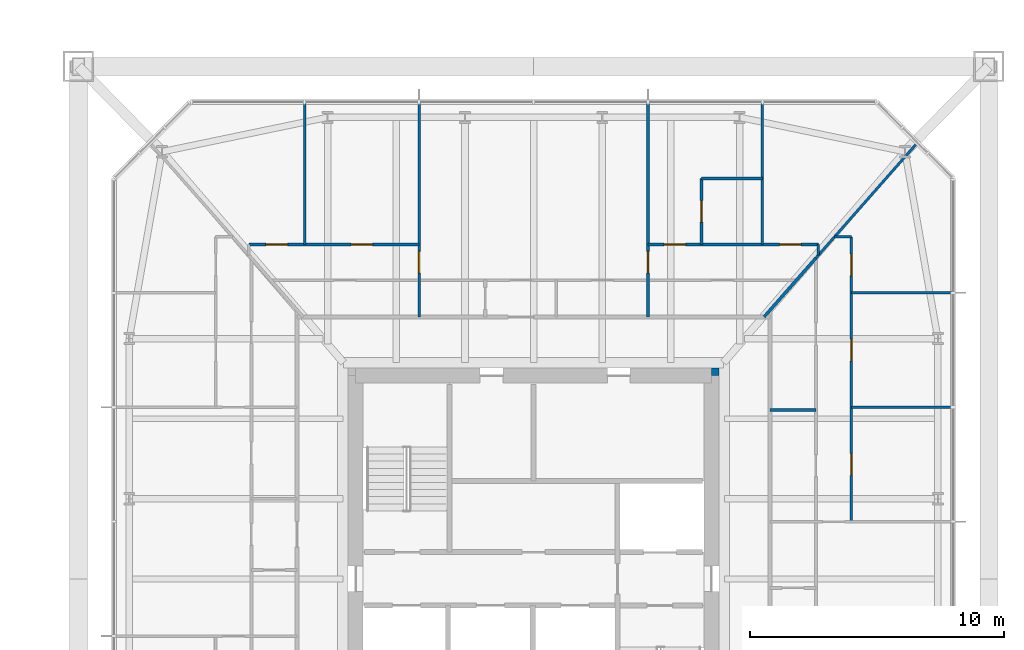
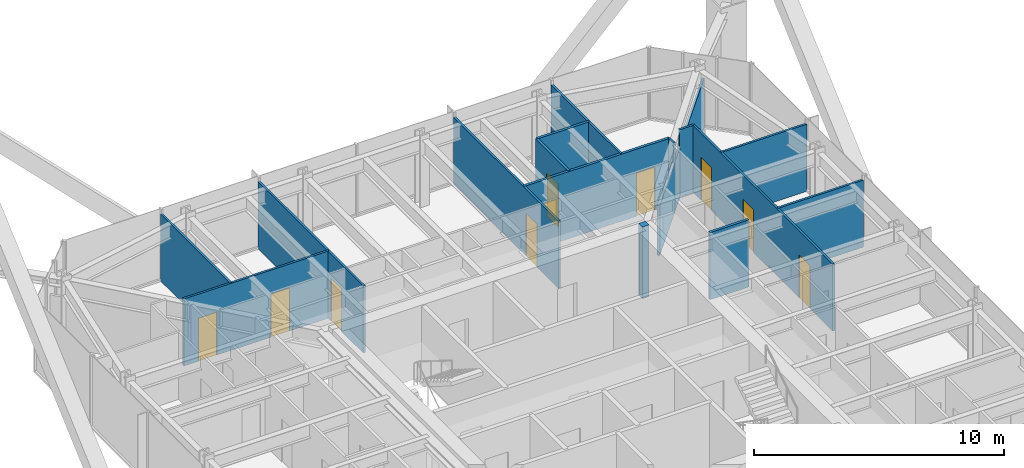
# One storey, part 22 of 27: 17 walls, 10 doors, 10 openings.
"""IFC4 building model written with IfcOpenShell, lengths in metres."""

from ifc_helpers import new_model, si_unit, direction, frame, frame_2d, origin, place, context, subcontext, project, spatial, rectangle, extrude, material, layer, layer_set, type_object, element, fill, save


model = new_model("IFC4")

# Units and contexts
model_context = context("Model", 3, precision=1e-05, world=origin(), true_north=direction((0.0, 1.0)))
body_context = subcontext(model_context, "Body", "Model", "MODEL_VIEW")
ifc_project = project(units=[si_unit("LENGTHUNIT", "METRE"), si_unit("AREAUNIT", "SQUARE_METRE"), si_unit("VOLUMEUNIT", "CUBIC_METRE"), si_unit("PLANEANGLEUNIT", "RADIAN"), si_unit("MASSUNIT", "GRAM", prefix="KILO")], contexts=[model_context])

# Site, building, storey
site_placement = place(None, origin())
site = spatial("IfcSite", under=ifc_project, at=site_placement, CompositionType="ELEMENT")
building_placement = place(site_placement, origin())
building = spatial("IfcBuilding", under=site, at=building_placement, Name="Iwan Alto Co-Living Towers", CompositionType="ELEMENT")
storey_placement = place(building_placement, frame((0.0, 0.0, 25.5)))
storey = spatial("IfcBuildingStorey", under=building, at=storey_placement, Name="L06", CompositionType="ELEMENT", Elevation=25.5)

# Walls
ifc_material_1 = material(Name="Gypsum board")
ifc_layer_1 = layer(ifc_material_1, 0.012451171875, Name="Board", Category="Finish")
ifc_material_2 = material(Name="Steel ASTM A1003 ST33H cold-formed studs", Category="steel")
ifc_layer_2 = layer(ifc_material_2, 0.074951171875, Name="Studs", Category="Framing")
ifc_layer_3 = layer(ifc_material_1, 0.012451171875, Name="Board", Category="Finish")
ifc_layer_set_1 = layer_set([ifc_layer_1, ifc_layer_2, ifc_layer_3], Name="PARTITION 100")
wall_type_1 = type_object("IfcWallType", Name="PARTITION 100", PredefinedType="PARTITIONING", material=ifc_layer_set_1)
for number, where, z_axis, x_axis, name in (
    (1, (75.5, 6.75, 0.0), (0.0, 0.0, 1.0), (1.0, 0.0, 0.0), "Partition L06"),
    (2, (75.5, 11.25, 0.0), (0.0, 0.0, 1.0), (1.0, 0.0, 0.0), "Partition L06"),
):
    element("IfcWall", number, at=place(storey_placement, frame(where, z_axis=z_axis, x_axis=x_axis)), inside=storey, type_object=wall_type_1, Name=name, PredefinedType="PARTITIONING", context=body_context, shape_type="SweptSolid", body=[
        extrude(rectangle(XDim=3.93994140625, YDim=0.10009765625, at=frame_2d((1.969970703125, 0.0))), origin(), (0.0, 0.0, 1.0), 3.27001953125),
    ])

# Wall, openings, doors
wall_1_placement = place(storey_placement, frame((51.800048828125, 13.14990234375, 0.0), z_axis=(0.0, 0.0, 1.0), x_axis=(1.0, 0.0, 0.0)))
wall_1 = element("IfcWall", 3, at=wall_1_placement, inside=storey, type_object=wall_type_1, Name="Partition L06", PredefinedType="PARTITIONING", context=body_context, shape_type="SweptSolid", body=[
    extrude(rectangle(XDim=6.699951171875, YDim=0.10009765625, at=frame_2d((3.35009765625, 0.0))), origin(), (0.0, 0.0, 1.0), 3.27001953125),
])
opening_1_placement = place(wall_1_placement, frame((4.02490234375, 0.0, 0.0)))
opening_1 = element("IfcOpeningElement", 4, at=opening_1_placement, cuts=wall_1, Name="Opening D2", PredefinedType="OPENING", context=body_context, shape_type="SweptSolid", body=[
    extrude(rectangle(XDim=0.85009765625, YDim=2.10009765625, at=frame_2d((0.425048828125, 1.050048828125))), frame((0.0, 0.06005859375, 0.0), z_axis=(0.0, -1.0, 0.0), x_axis=(1.0, 0.0, 0.0)), (0.0, 0.0, 1.0), 0.1201171875),
])
opening_2_placement = place(wall_1_placement, frame((0.675048828125, 0.0, 0.0)))
opening_2 = element("IfcOpeningElement", 5, at=opening_2_placement, cuts=wall_1, Name="Opening D2", PredefinedType="OPENING", context=body_context, shape_type="SweptSolid", body=[
    extrude(rectangle(XDim=0.85009765625, YDim=2.10009765625, at=frame_2d((0.425048828125, 1.050048828125))), frame((0.0, 0.06005859375, 0.0), z_axis=(0.0, -1.0, 0.0), x_axis=(1.0, 0.0, 0.0)), (0.0, 0.0, 1.0), 0.1201171875),
])
ifc_material_3 = material(Name="Timber leaf in steel frame", Category="steel")
door_type = type_object("IfcDoorType", Name="ROOM DOOR 850X2100", OperationType="SINGLE_SWING_LEFT", PredefinedType="DOOR", material=ifc_material_3)
door_1_placement = place(opening_1_placement, origin())
door_1 = element("IfcDoor", 6, at=door_1_placement, inside=storey, type_object=door_type, Name="Study door L06", OperationType="SINGLE_SWING_LEFT", OverallHeight=2.10009765625, OverallWidth=0.85009765625, PredefinedType="DOOR", context=body_context, shape_type="SweptSolid", body=[
    extrude(rectangle(XDim=0.85009765625, YDim=2.10009765625, at=frame_2d((0.425048828125, 1.050048828125))), frame((0.0, 0.02490234375, 0.0), z_axis=(0.0, -1.0, 0.0), x_axis=(1.0, 0.0, 0.0)), (0.0, 0.0, 1.0), 0.050048828125),
])
fill(opening_1, door_1)
door_2_placement = place(opening_2_placement, origin())
door_2 = element("IfcDoor", 7, at=door_2_placement, inside=storey, type_object=door_type, Name="Bedroom door L06", OperationType="SINGLE_SWING_RIGHT", OverallHeight=2.10009765625, OverallWidth=0.85009765625, PredefinedType="DOOR", context=body_context, shape_type="SweptSolid", body=[
    extrude(rectangle(XDim=0.85009765625, YDim=2.10009765625, at=frame_2d((0.425048828125, 1.050048828125))), frame((0.0, 0.02490234375, 0.0), z_axis=(0.0, -1.0, 0.0), x_axis=(1.0, 0.0, 0.0)), (0.0, 0.0, 1.0), 0.050048828125),
])
fill(opening_2, door_2)

# Walls
wall_2_placement = place(storey_placement, frame((74.8359375, 13.449951171875, 0.0), z_axis=(0.0, 0.0, 1.0), x_axis=(1.0, 0.0, 0.0)))
element("IfcWall", 8, at=wall_2_placement, inside=storey, type_object=wall_type_1, Name="Partition L06", PredefinedType="PARTITIONING", context=body_context, shape_type="SweptSolid", body=[
    extrude(rectangle(XDim=0.6640625, YDim=0.10009765625, at=frame_2d((0.33203125, 0.0))), origin(), (0.0, 0.0, 1.0), 3.27001953125),
])
wall_3_placement = place(storey_placement, frame((74.10009765625, 12.614013671875, 0.0), z_axis=(0.0, 0.0, 1.0), x_axis=(0.660755619739, 0.750601099775, 0.0)))
element("IfcWall", 9, at=wall_3_placement, inside=storey, type_object=wall_type_1, Name="Partition L06", PredefinedType="PARTITIONING", context=body_context, shape_type="SweptSolid", body=[
    extrude(rectangle(XDim=5.989013671875, YDim=0.10009765625, at=frame_2d((2.99462890625, 0.0))), origin(), (0.0, 0.0, 1.0), 2.42919921875),
])

# Wall, openings, doors
wall_4_placement = place(storey_placement, frame((75.5, 2.25, 0.0), z_axis=(0.0, 0.0, 1.0), x_axis=(0.0, 1.0, 0.0)))
wall_4 = element("IfcWall", 10, at=wall_4_placement, inside=storey, type_object=wall_type_1, Name="Partition L06", PredefinedType="PARTITIONING", context=body_context, shape_type="SweptSolid", body=[
    extrude(rectangle(XDim=11.199951171875, YDim=0.10009765625, at=frame_2d((5.60009765625, 0.0))), origin(), (0.0, 0.0, 1.0), 3.27001953125),
])
opening_3_placement = place(wall_4_placement, frame((1.824951171875, 0.0, 0.0)))
opening_3 = element("IfcOpeningElement", 11, at=opening_3_placement, cuts=wall_4, Name="Opening D2", PredefinedType="OPENING", context=body_context, shape_type="SweptSolid", body=[
    extrude(rectangle(XDim=0.85009765625, YDim=2.10009765625, at=frame_2d((0.425048828125, 1.050048828125))), frame((0.0, 0.06005859375, 0.0), z_axis=(0.0, -1.0, 0.0), x_axis=(1.0, 0.0, 0.0)), (0.0, 0.0, 1.0), 0.1201171875),
])
opening_4_placement = place(wall_4_placement, frame((6.324951171875, 0.0, 0.0)))
opening_4 = element("IfcOpeningElement", 12, at=opening_4_placement, cuts=wall_4, Name="Opening D2", PredefinedType="OPENING", context=body_context, shape_type="SweptSolid", body=[
    extrude(rectangle(XDim=0.85009765625, YDim=2.10009765625, at=frame_2d((0.425048828125, 1.050048828125))), frame((0.0, 0.06005859375, 0.0), z_axis=(0.0, -1.0, 0.0), x_axis=(1.0, 0.0, 0.0)), (0.0, 0.0, 1.0), 0.1201171875),
])
opening_5_placement = place(wall_4_placement, frame((9.675048828125, 0.0, 0.0)))
opening_5 = element("IfcOpeningElement", 13, at=opening_5_placement, cuts=wall_4, Name="Opening D2", PredefinedType="OPENING", context=body_context, shape_type="SweptSolid", body=[
    extrude(rectangle(XDim=0.85009765625, YDim=2.10009765625, at=frame_2d((0.425048828125, 1.050048828125))), frame((0.0, 0.06005859375, 0.0), z_axis=(0.0, -1.0, 0.0), x_axis=(1.0, 0.0, 0.0)), (0.0, 0.0, 1.0), 0.1201171875),
])
door_3_placement = place(opening_3_placement, frame((0.85009765625, 0.0, 0.0), z_axis=(0.0, 0.0, 1.0), x_axis=(-1.0, 0.0, 0.0)))
door_3 = element("IfcDoor", 14, at=door_3_placement, inside=storey, type_object=door_type, Name="Family room door L06", OperationType="SINGLE_SWING_RIGHT", OverallHeight=2.10009765625, OverallWidth=0.85009765625, PredefinedType="DOOR", context=body_context, shape_type="SweptSolid", body=[
    extrude(rectangle(XDim=0.85009765625, YDim=2.10009765625, at=frame_2d((0.425048828125, 1.050048828125))), frame((0.0, 0.02490234375, 0.0), z_axis=(0.0, -1.0, 0.0), x_axis=(1.0, 0.0, 0.0)), (0.0, 0.0, 1.0), 0.050048828125),
])
fill(opening_3, door_3)
door_4_placement = place(opening_4_placement, frame((0.85009765625, 0.0, 0.0), z_axis=(0.0, 0.0, 1.0), x_axis=(-1.0, 0.0, 0.0)))
door_4 = element("IfcDoor", 15, at=door_4_placement, inside=storey, type_object=door_type, Name="Bedroom door L06", OperationType="SINGLE_SWING_RIGHT", OverallHeight=2.10009765625, OverallWidth=0.85009765625, PredefinedType="DOOR", context=body_context, shape_type="SweptSolid", body=[
    extrude(rectangle(XDim=0.85009765625, YDim=2.10009765625, at=frame_2d((0.425048828125, 1.050048828125))), frame((0.0, 0.02490234375, 0.0), z_axis=(0.0, -1.0, 0.0), x_axis=(1.0, 0.0, 0.0)), (0.0, 0.0, 1.0), 0.050048828125),
])
fill(opening_4, door_4)
door_5_placement = place(opening_5_placement, frame((0.85009765625, 0.0, 0.0), z_axis=(0.0, 0.0, 1.0), x_axis=(-1.0, 0.0, 0.0)))
door_5 = element("IfcDoor", 16, at=door_5_placement, inside=storey, type_object=door_type, Name="Study door L06", OperationType="SINGLE_SWING_RIGHT", OverallHeight=2.10009765625, OverallWidth=0.85009765625, PredefinedType="DOOR", context=body_context, shape_type="SweptSolid", body=[
    extrude(rectangle(XDim=0.85009765625, YDim=2.10009765625, at=frame_2d((0.425048828125, 1.050048828125))), frame((0.0, 0.02490234375, 0.0), z_axis=(0.0, -1.0, 0.0), x_axis=(1.0, 0.0, 0.0)), (0.0, 0.0, 1.0), 0.050048828125),
])
fill(opening_5, door_5)

# Walls
wall_5_placement = place(storey_placement, frame((74.199951171875, 12.72705078125, 0.0), z_axis=(0.0, 0.0, 1.0), x_axis=(0.0, 1.0, 0.0)))
element("IfcWall", 17, at=wall_5_placement, inside=storey, type_object=wall_type_1, Name="Partition L06", PredefinedType="PARTITIONING", context=body_context, shape_type="SweptSolid", body=[
    extrude(rectangle(XDim=0.4228515625, YDim=0.10009765625, at=frame_2d((0.21142578125, 0.0))), origin(), (0.0, 0.0, 1.0), 3.27001953125),
])
wall_6_placement = place(storey_placement, frame((72.0, 13.14990234375, 0.0), z_axis=(0.0, 0.0, 1.0), x_axis=(0.0, 1.0, 0.0)))
element("IfcWall", 18, at=wall_6_placement, inside=storey, type_object=wall_type_1, Name="Partition L06", PredefinedType="PARTITIONING", context=body_context, shape_type="SweptSolid", body=[
    extrude(rectangle(XDim=5.5400390625, YDim=0.10009765625, at=frame_2d((2.77001953125, 0.0))), origin(), (0.0, 0.0, 1.0), 3.27001953125),
])

# Wall, opening, door
wall_7_placement = place(storey_placement, frame((67.5, 10.300048828125, 0.0), z_axis=(0.0, 0.0, 1.0), x_axis=(0.0, 1.0, 0.0)))
wall_7 = element("IfcWall", 19, at=wall_7_placement, inside=storey, type_object=wall_type_1, Name="Partition L06", PredefinedType="PARTITIONING", context=body_context, shape_type="SweptSolid", body=[
    extrude(rectangle(XDim=8.389892578125, YDim=0.10009765625, at=frame_2d((4.19482421875, 0.0))), origin(), (0.0, 0.0, 1.0), 3.27001953125),
])
opening_6_placement = place(wall_7_placement, frame((1.72509765625, 0.0, 0.0)))
opening_6 = element("IfcOpeningElement", 20, at=opening_6_placement, cuts=wall_7, Name="Opening D2", PredefinedType="OPENING", context=body_context, shape_type="SweptSolid", body=[
    extrude(rectangle(XDim=0.85009765625, YDim=2.10009765625, at=frame_2d((0.425048828125, 1.050048828125))), frame((0.0, 0.06005859375, 0.0), z_axis=(0.0, -1.0, 0.0), x_axis=(1.0, 0.0, 0.0)), (0.0, 0.0, 1.0), 0.1201171875),
])
door_6_placement = place(opening_6_placement, origin())
door_6 = element("IfcDoor", 21, at=door_6_placement, inside=storey, type_object=door_type, Name="Apartment hall door L06", OperationType="SINGLE_SWING_LEFT", OverallHeight=2.10009765625, OverallWidth=0.85009765625, PredefinedType="DOOR", context=body_context, shape_type="SweptSolid", body=[
    extrude(rectangle(XDim=0.85009765625, YDim=2.10009765625, at=frame_2d((0.425048828125, 1.050048828125))), frame((0.0, 0.02490234375, 0.0), z_axis=(0.0, -1.0, 0.0), x_axis=(1.0, 0.0, 0.0)), (0.0, 0.0, 1.0), 0.050048828125),
])
fill(opening_6, door_6)

wall_8_placement = place(storey_placement, frame((58.5, 10.300048828125, 0.0), z_axis=(0.0, 0.0, 1.0), x_axis=(0.0, 1.0, 0.0)))
wall_8 = element("IfcWall", 22, at=wall_8_placement, inside=storey, type_object=wall_type_1, Name="Partition L06", PredefinedType="PARTITIONING", context=body_context, shape_type="SweptSolid", body=[
    extrude(rectangle(XDim=8.389892578125, YDim=0.10009765625, at=frame_2d((4.19482421875, 0.0))), origin(), (0.0, 0.0, 1.0), 3.27001953125),
])
opening_7_placement = place(wall_8_placement, frame((1.72509765625, 0.0, 0.0)))
opening_7 = element("IfcOpeningElement", 23, at=opening_7_placement, cuts=wall_8, Name="Opening D2", PredefinedType="OPENING", context=body_context, shape_type="SweptSolid", body=[
    extrude(rectangle(XDim=0.85009765625, YDim=2.10009765625, at=frame_2d((0.425048828125, 1.050048828125))), frame((0.0, 0.06005859375, 0.0), z_axis=(0.0, -1.0, 0.0), x_axis=(1.0, 0.0, 0.0)), (0.0, 0.0, 1.0), 0.1201171875),
])
door_7_placement = place(opening_7_placement, frame((0.85009765625, 0.0, 0.0), z_axis=(0.0, 0.0, 1.0), x_axis=(-1.0, 0.0, 0.0)))
door_7 = element("IfcDoor", 24, at=door_7_placement, inside=storey, type_object=door_type, Name="Apartment hall door L06", OperationType="SINGLE_SWING_RIGHT", OverallHeight=2.10009765625, OverallWidth=0.85009765625, PredefinedType="DOOR", context=body_context, shape_type="SweptSolid", body=[
    extrude(rectangle(XDim=0.85009765625, YDim=2.10009765625, at=frame_2d((0.425048828125, 1.050048828125))), frame((0.0, 0.02490234375, 0.0), z_axis=(0.0, -1.0, 0.0), x_axis=(1.0, 0.0, 0.0)), (0.0, 0.0, 1.0), 0.050048828125),
])
fill(opening_7, door_7)

# Walls
wall_9_placement = place(storey_placement, frame((54.0, 13.14990234375, 0.0), z_axis=(0.0, 0.0, 1.0), x_axis=(0.0, 1.0, 0.0)))
element("IfcWall", 25, at=wall_9_placement, inside=storey, type_object=wall_type_1, Name="Partition L06", PredefinedType="PARTITIONING", context=body_context, shape_type="SweptSolid", body=[
    extrude(rectangle(XDim=5.5400390625, YDim=0.10009765625, at=frame_2d((2.77001953125, 0.0))), origin(), (0.0, 0.0, 1.0), 3.27001953125),
])
ifc_material_4 = material(Name="Concrete f'c 70 MPa", Category="concrete")
ifc_layer_4 = layer(ifc_material_4, 0.300048828125)
ifc_layer_set_2 = layer_set([ifc_layer_4], Name="T2 CORE CORNER FILL 300")
wall_type_2 = type_object("IfcWallType", Name="T2 CORE CORNER FILL 300", PredefinedType="SOLIDWALL", material=ifc_layer_set_2)
wall_10_placement = place(storey_placement, frame((70.0, 8.14990234375, 0.0), z_axis=(0.0, 0.0, 1.0), x_axis=(1.0, 0.0, 0.0)))
element("IfcWall", 26, at=wall_10_placement, inside=storey, type_object=wall_type_2, Name="T2 core corner NE L06", PredefinedType="SOLIDWALL", context=body_context, shape_type="SweptSolid", body=[
    extrude(rectangle(XDim=0.300048828125, YDim=0.300048828125, at=frame_2d((0.14990234375, 0.0))), origin(), (0.0, 0.0, 1.0), 3.5),
])
ifc_material_5 = material(Name="Cement board")
ifc_layer_5 = layer(ifc_material_5, 0.012451171875, Name="Board", Category="Finish")
ifc_layer_6 = layer(ifc_material_2, 0.094970703125, Name="Studs", Category="Framing")
ifc_layer_7 = layer(ifc_material_5, 0.012451171875, Name="Board", Category="Finish")
ifc_layer_set_3 = layer_set([ifc_layer_5, ifc_layer_6, ifc_layer_7], Name="WET AREA PARTITION 120")
wall_type_3 = type_object("IfcWallType", Name="WET AREA PARTITION 120", PredefinedType="PARTITIONING", material=ifc_layer_set_3)
wall_11_placement = place(storey_placement, frame((72.300048828125, 6.64990234375, 0.0), z_axis=(0.0, 0.0, 1.0), x_axis=(1.0, 0.0, 0.0)))
element("IfcWall", 27, at=wall_11_placement, inside=storey, type_object=wall_type_3, Name="Partition L06", PredefinedType="PARTITIONING", context=body_context, shape_type="SweptSolid", body=[
    extrude(rectangle(XDim=1.800048828125, YDim=0.1201171875, at=frame_2d((0.89990234375, 0.0))), origin(), (0.0, 0.0, 1.0), 3.27001953125),
])

# Wall, openings, doors
wall_12_placement = place(storey_placement, frame((67.5, 13.14990234375, 0.0), z_axis=(0.0, 0.0, 1.0), x_axis=(1.0, 0.0, 0.0)))
wall_12 = element("IfcWall", 28, at=wall_12_placement, inside=storey, type_object=wall_type_3, Name="Partition L06", PredefinedType="PARTITIONING", context=body_context, shape_type="SweptSolid", body=[
    extrude(rectangle(XDim=6.699951171875, YDim=0.1201171875, at=frame_2d((3.35009765625, 0.0))), origin(), (0.0, 0.0, 1.0), 3.27001953125),
])
opening_8_placement = place(wall_12_placement, frame((0.625, 0.0, 0.0)))
opening_8 = element("IfcOpeningElement", 29, at=opening_8_placement, cuts=wall_12, Name="Opening D2", PredefinedType="OPENING", context=body_context, shape_type="SweptSolid", body=[
    extrude(rectangle(XDim=0.85009765625, YDim=2.10009765625, at=frame_2d((0.425048828125, 1.050048828125))), frame((0.0, 0.070068359375, 0.0), z_axis=(0.0, -1.0, 0.0), x_axis=(1.0, 0.0, 0.0)), (0.0, 0.0, 1.0), 0.14013671875),
])
opening_9_placement = place(wall_12_placement, frame((5.175048828125, 0.0, 0.0)))
opening_9 = element("IfcOpeningElement", 30, at=opening_9_placement, cuts=wall_12, Name="Opening D2", PredefinedType="OPENING", context=body_context, shape_type="SweptSolid", body=[
    extrude(rectangle(XDim=0.85009765625, YDim=2.10009765625, at=frame_2d((0.425048828125, 1.050048828125))), frame((0.0, 0.070068359375, 0.0), z_axis=(0.0, -1.0, 0.0), x_axis=(1.0, 0.0, 0.0)), (0.0, 0.0, 1.0), 0.14013671875),
])
door_8_placement = place(opening_8_placement, origin())
door_8 = element("IfcDoor", 31, at=door_8_placement, inside=storey, type_object=door_type, Name="Bedroom door L06", OperationType="SINGLE_SWING_LEFT", OverallHeight=2.10009765625, OverallWidth=0.85009765625, PredefinedType="DOOR", context=body_context, shape_type="SweptSolid", body=[
    extrude(rectangle(XDim=0.85009765625, YDim=2.10009765625, at=frame_2d((0.425048828125, 1.050048828125))), frame((0.0, 0.02490234375, 0.0), z_axis=(0.0, -1.0, 0.0), x_axis=(1.0, 0.0, 0.0)), (0.0, 0.0, 1.0), 0.050048828125),
])
fill(opening_8, door_8)
door_9_placement = place(opening_9_placement, origin())
door_9 = element("IfcDoor", 32, at=door_9_placement, inside=storey, type_object=door_type, Name="Bedroom door L06", OperationType="SINGLE_SWING_LEFT", OverallHeight=2.10009765625, OverallWidth=0.85009765625, PredefinedType="DOOR", context=body_context, shape_type="SweptSolid", body=[
    extrude(rectangle(XDim=0.85009765625, YDim=2.10009765625, at=frame_2d((0.425048828125, 1.050048828125))), frame((0.0, 0.02490234375, 0.0), z_axis=(0.0, -1.0, 0.0), x_axis=(1.0, 0.0, 0.0)), (0.0, 0.0, 1.0), 0.050048828125),
])
fill(opening_9, door_9)

# Walls
wall_13_placement = place(storey_placement, frame((69.60009765625, 15.75, 0.0), z_axis=(0.0, 0.0, 1.0), x_axis=(1.0, 0.0, 0.0)))
element("IfcWall", 33, at=wall_13_placement, inside=storey, type_object=wall_type_3, Name="Partition L06", PredefinedType="PARTITIONING", context=body_context, shape_type="SweptSolid", body=[
    extrude(rectangle(XDim=2.39990234375, YDim=0.1201171875, at=frame_2d((1.199951171875, 0.0))), origin(), (0.0, 0.0, 1.0), 3.27001953125),
])
wall_14_placement = place(storey_placement, frame((72.0634765625, 10.300537109375, 0.0), z_axis=(0.0, 0.0, 1.0), x_axis=(0.660761820138, 0.750595641506, 0.0)))
element("IfcWall", 34, at=wall_14_placement, inside=storey, type_object=wall_type_3, Name="Partition L06", PredefinedType="PARTITIONING", context=body_context, shape_type="SweptSolid", body=[
    extrude(rectangle(XDim=3.081787109375, YDim=0.1201171875, at=frame_2d((1.541015625, 0.0))), origin(), (0.0, 0.0, 1.0), 2.42919921875),
])

# Wall, opening, door
wall_15_placement = place(storey_placement, frame((69.60009765625, 13.14990234375, 0.0), z_axis=(0.0, 0.0, 1.0), x_axis=(0.0, 1.0, 0.0)))
wall_15 = element("IfcWall", 35, at=wall_15_placement, inside=storey, type_object=wall_type_3, Name="Partition L06", PredefinedType="PARTITIONING", context=body_context, shape_type="SweptSolid", body=[
    extrude(rectangle(XDim=2.60009765625, YDim=0.1201171875, at=frame_2d((1.300048828125, 0.0))), origin(), (0.0, 0.0, 1.0), 3.27001953125),
])
opening_10_placement = place(wall_15_placement, frame((0.875, 0.0, 0.0)))
opening_10 = element("IfcOpeningElement", 36, at=opening_10_placement, cuts=wall_15, Name="Opening D2", PredefinedType="OPENING", context=body_context, shape_type="SweptSolid", body=[
    extrude(rectangle(XDim=0.85009765625, YDim=2.10009765625, at=frame_2d((0.425048828125, 1.050048828125))), frame((0.0, 0.070068359375, 0.0), z_axis=(0.0, -1.0, 0.0), x_axis=(1.0, 0.0, 0.0)), (0.0, 0.0, 1.0), 0.14013671875),
])
door_10_placement = place(opening_10_placement, origin())
door_10 = element("IfcDoor", 37, at=door_10_placement, inside=storey, type_object=door_type, Name="En-suite shower room door L06", OperationType="SINGLE_SWING_LEFT", OverallHeight=2.10009765625, OverallWidth=0.85009765625, PredefinedType="DOOR", context=body_context, shape_type="SweptSolid", body=[
    extrude(rectangle(XDim=0.85009765625, YDim=2.10009765625, at=frame_2d((0.425048828125, 1.050048828125))), frame((0.0, 0.02490234375, 0.0), z_axis=(0.0, -1.0, 0.0), x_axis=(1.0, 0.0, 0.0)), (0.0, 0.0, 1.0), 0.050048828125),
])
fill(opening_10, door_10)

save(model, "model.ifc")
